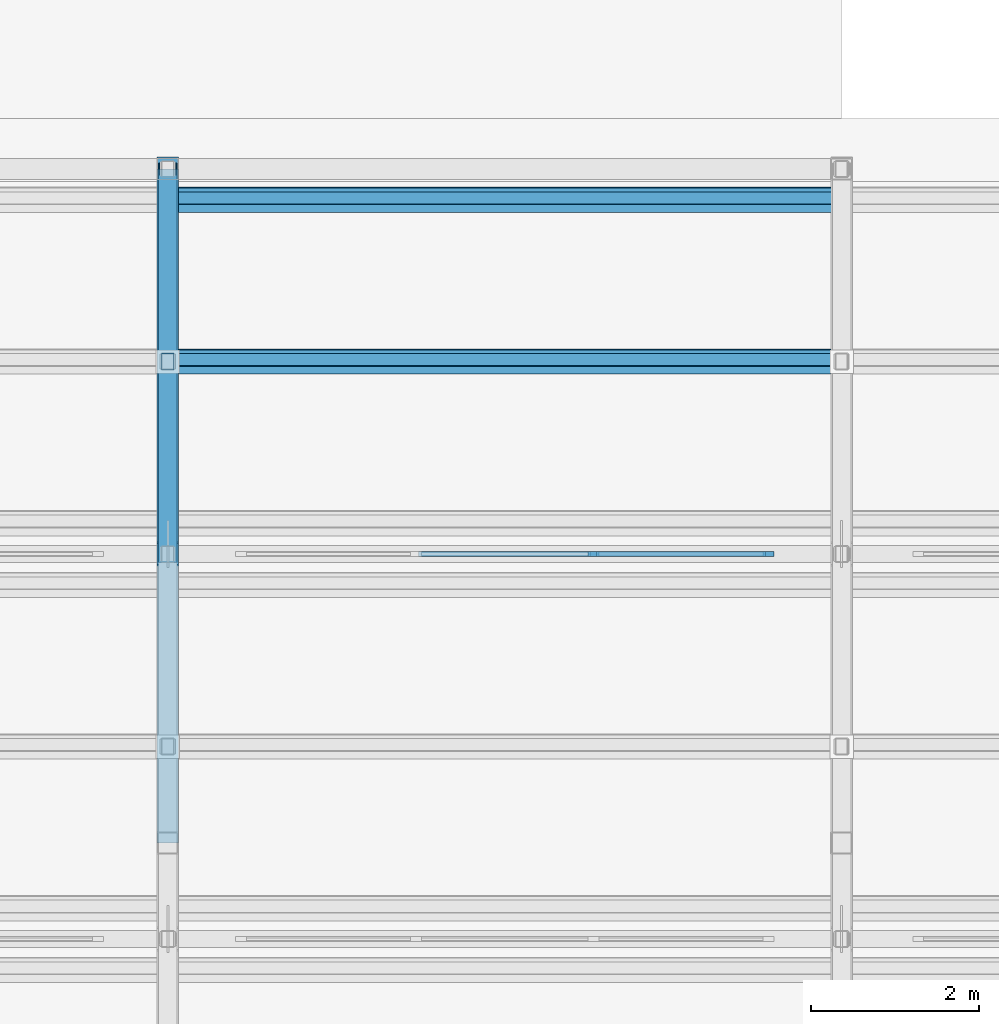
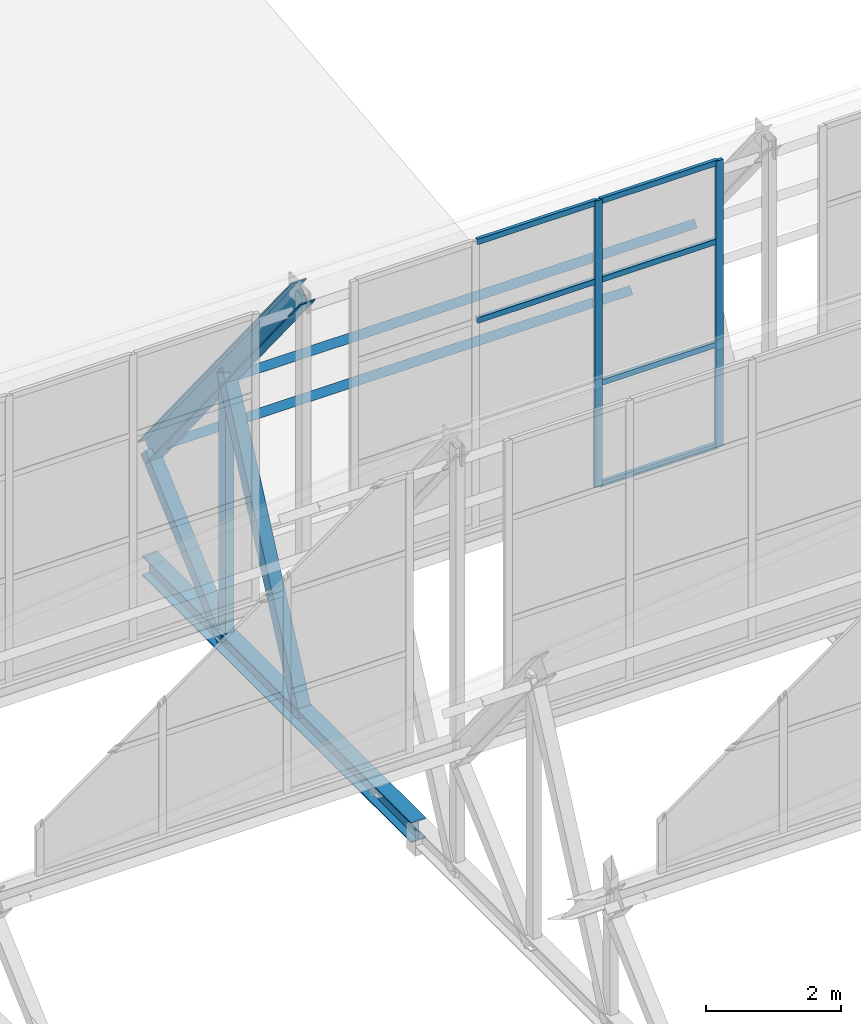
# One storey, part 18 of 34: 14 members, 1 beam, 1 element without a shape of its own.
"""IFC4 building model written with IfcOpenShell, lengths in metres."""

import ifcopenshell
import ifcopenshell.guid

model = None  # the IFC model being written
_history = None  # IfcOwnerHistory: only IFC2X3 demands one
_inside = {}  # id of a spatial element -> (the spatial element, [elements in it])
_under = {}  # id of a project, library or spatial element -> (it, [spatial elements below it])
_declared = {}  # id of a project -> (the project, [libraries it declares])
_typed = {}  # id of a type object -> (the type object, [elements of that type])
_made_of = {}  # id of a material, layer set ... -> (it, [elements and type objects made of it])


def new_model(schema):
    """Start an empty IFC model of exactly this schema.

    Asked for "IFC4X3", IfcOpenShell would pick the latest addendum, in which some entities
    have other attributes; the version numbers below select the first issue.
    IFC2X3 requires an IfcOwnerHistory on every rooted entity: one is made here for all.
    """
    global model, _history
    if schema == "IFC4X3":
        model = ifcopenshell.file(schema_version=(4, 3, 0, 0))
    else:
        model = ifcopenshell.file(schema=schema)
    _inside.clear()
    _under.clear()
    _declared.clear()
    _typed.clear()
    _made_of.clear()
    _history = None
    if model.schema == "IFC2X3":
        org = make("IfcOrganization", Name="unknown")
        user = make(
            "IfcPersonAndOrganization",
            ThePerson=make("IfcPerson", FamilyName="unknown"),
            TheOrganization=org,
        )
        app = make(
            "IfcApplication",
            ApplicationDeveloper=org,
            Version="unknown",
            ApplicationFullName="unknown",
            ApplicationIdentifier="unknown",
        )
        _history = make(
            "IfcOwnerHistory",
            OwningUser=user,
            OwningApplication=app,
            ChangeAction="ADDED",
            CreationDate=0,
        )
    return model


def make(cls, **values):
    """One entity of the class cls with the attributes given. An attribute that is None is left unset."""
    return model.create_entity(
        cls, **{name: value for name, value in values.items() if value is not None}
    )


def rooted(cls, **values):
    """An entity with a GlobalId (a new one), such as an element, a storey or a relation."""
    return make(cls, GlobalId=ifcopenshell.guid.new(), OwnerHistory=_history, **values)


def si_unit(unit_type, name, prefix=None):
    """IfcSIUnit, for example si_unit("LENGTHUNIT", "METRE", prefix="MILLI")."""
    return make("IfcSIUnit", UnitType=unit_type, Prefix=prefix, Name=name)


def assignment(units):
    """IfcUnitAssignment: the units of a project."""
    return None if units is None else make("IfcUnitAssignment", Units=units)


def point(xyz):
    """IfcCartesianPoint."""
    return None if xyz is None else make("IfcCartesianPoint", Coordinates=xyz)


def direction(xyz):
    """IfcDirection."""
    return None if xyz is None else make("IfcDirection", DirectionRatios=xyz)


def frame(location, z_axis=None, x_axis=None):
    """IfcAxis2Placement3D, a coordinate frame: its origin and axes. An axis left out is left unset."""
    return make(
        "IfcAxis2Placement3D",
        Location=point(location),
        Axis=direction(z_axis),
        RefDirection=direction(x_axis),
    )


def frame_2d(location, x_axis=None):
    """IfcAxis2Placement2D, a coordinate frame in the plane: its origin and x axis."""
    return make(
        "IfcAxis2Placement2D", Location=point(location), RefDirection=direction(x_axis)
    )


def origin():
    """The frame at (0, 0, 0) with its axes left unset."""
    return frame((0.0, 0.0, 0.0))


def origin_2d():
    """The frame at (0, 0) in the plane with its x axis left unset."""
    return frame_2d((0.0, 0.0))


def place(relative_to, where):
    """IfcLocalPlacement: puts the frame where relative to a parent placement (None: the world)."""
    return make(
        "IfcLocalPlacement", PlacementRelTo=relative_to, RelativePlacement=where
    )


def context(
    kind, dimensions, precision=None, world=None, true_north=None, identifier=None
):
    """IfcGeometricRepresentationContext, for example the 3D "Model" context."""
    return make(
        "IfcGeometricRepresentationContext",
        ContextIdentifier=identifier,
        ContextType=kind,
        CoordinateSpaceDimension=dimensions,
        Precision=precision,
        WorldCoordinateSystem=world,
        TrueNorth=true_north,
    )


def subcontext(parent, identifier, kind, view, scale=None):
    """IfcGeometricRepresentationSubContext, for example "Body" below "Model"."""
    return make(
        "IfcGeometricRepresentationSubContext",
        ContextIdentifier=identifier,
        ContextType=kind,
        ParentContext=parent,
        TargetScale=scale,
        TargetView=view,
    )


def project(units=None, contexts=None):
    """IfcProject with its units and contexts."""
    return rooted(
        "IfcProject",
        Name="project",
        RepresentationContexts=contexts,
        UnitsInContext=assignment(units),
    )


def spatial(cls, under=None, at=None, **own):
    """A site, building, storey or space (cls), placed at a placement, below another one or the project."""
    s = rooted(cls, ObjectPlacement=at, **own)
    if under is not None:
        _under.setdefault(under.id(), (under, []))[1].append(s)
    return s


def profile(cls, at=None, kind="AREA", **sizes):
    """A parametric profile (cls). Its sizes go by their IFC names, for example OverallWidth=200.0."""
    return make(cls, ProfileType=kind, Position=at, **sizes)


def rectangle(**sizes):
    """IfcRectangleProfileDef."""
    return profile("IfcRectangleProfileDef", **sizes)


def hollow_rectangle(**sizes):
    """IfcRectangleHollowProfileDef."""
    return profile("IfcRectangleHollowProfileDef", **sizes)


def i_section(**sizes):
    """IfcIShapeProfileDef."""
    return profile("IfcIShapeProfileDef", **sizes)


def extrude(swept, where, along, depth):
    """IfcExtrudedAreaSolid: the profile swept, set in the frame where, extruded along a direction by depth."""
    return make(
        "IfcExtrudedAreaSolid",
        SweptArea=swept,
        Position=where,
        ExtrudedDirection=direction(along),
        Depth=depth,
    )


def shape(context_of_items, identifier, shape_type, items):
    """IfcShapeRepresentation: the items that make up one representation, for example the "Body"."""
    return make(
        "IfcShapeRepresentation",
        ContextOfItems=context_of_items,
        RepresentationIdentifier=identifier,
        RepresentationType=shape_type,
        Items=items,
    )


def material(Name=None, Category=None):
    """IfcMaterial."""
    return make("IfcMaterial", Name=Name, Category=Category)


def layer(
    of_material, thickness, ventilated=None, Name=None, Category=None, Priority=None
):
    """IfcMaterialLayer: one layer of a wall or slab, of a material (None: an air gap)."""
    return make(
        "IfcMaterialLayer",
        Material=of_material,
        LayerThickness=thickness,
        IsVentilated=ventilated,
        Name=Name,
        Category=Category,
        Priority=Priority,
    )


def layer_set(layers, Name=None):
    """IfcMaterialLayerSet."""
    return make("IfcMaterialLayerSet", MaterialLayers=layers, LayerSetName=Name)


def material_profile(
    of_material, cross_section, Name=None, Category=None, Priority=None
):
    """IfcMaterialProfile: a cross section and its material."""
    return make(
        "IfcMaterialProfile",
        Name=Name,
        Material=of_material,
        Profile=cross_section,
        Priority=Priority,
        Category=Category,
    )


def profile_set(profiles, Name=None, composite=None):
    """IfcMaterialProfileSet."""
    return make(
        "IfcMaterialProfileSet",
        Name=Name,
        MaterialProfiles=profiles,
        CompositeProfile=composite,
    )


def made_of(thing, what):
    """Note that an element or type object is made of a material, layer set ...; save() writes the relation."""
    if what is not None:
        _made_of.setdefault(what.id(), (what, []))[1].append(thing)
    return thing


def type_object(cls, material=None, **own):
    """A type object (cls), such as IfcWallType, which elements share."""
    return made_of(rooted(cls, **own), material)


def element(
    cls,
    number,
    at=None,
    inside=None,
    cuts=None,
    type_object=None,
    material=None,
    context=None,
    identifier="Body",
    shape_type=None,
    held_by="IfcProductDefinitionShape",
    body=None,
    shapes=None,
    **own,
):
    """One element of the class cls, such as IfcWall. Its Tag is "e" and its number.

    at: its placement. inside: the storey or other place that contains it. cuts: it is an
    opening in that element (IfcRelVoidsElement). A single representation is given by context,
    identifier, shape_type and body (its items); several are given by shapes. held_by: the class
    of the entity that holds the representations. save() writes the other relations.
    """
    e = rooted(cls, Tag="e%d" % number, ObjectPlacement=at, **own)
    if body is not None:
        shapes = [shape(context, identifier, shape_type, body)]
    if shapes is not None:
        e.Representation = make(held_by, Representations=shapes)
    if inside is not None:
        _inside.setdefault(inside.id(), (inside, []))[1].append(e)
    if cuts is not None:
        rooted(
            "IfcRelVoidsElement", RelatingBuildingElement=cuts, RelatedOpeningElement=e
        )
    if type_object is not None:
        _typed.setdefault(type_object.id(), (type_object, []))[1].append(e)
    return made_of(e, material)


def aggregate(whole, parts):
    """IfcRelAggregates: a whole, such as a stair, and the parts it consists of."""
    return rooted("IfcRelAggregates", RelatingObject=whole, RelatedObjects=parts)


def save(model, path):
    """Write the relations noted so far, then the file.

    IfcRelAggregates (storeys below a building ...), IfcRelContainedInSpatialStructure (elements
    in a storey), IfcRelDefinesByType, IfcRelAssociatesMaterial and IfcRelDeclares: one each for
    every whole, place, type object, material and project.
    """
    for whole, parts in _under.values():
        aggregate(whole, parts)
    for where, things in _inside.values():
        rooted(
            "IfcRelContainedInSpatialStructure",
            RelatedElements=things,
            RelatingStructure=where,
        )
    for kind, things in _typed.values():
        rooted("IfcRelDefinesByType", RelatedObjects=things, RelatingType=kind)
    for what, things in _made_of.values():
        rooted("IfcRelAssociatesMaterial", RelatedObjects=things, RelatingMaterial=what)
    for by, libraries in _declared.values():
        rooted("IfcRelDeclares", RelatingContext=by, RelatedDefinitions=libraries)
    model.write(path)


model = new_model("IFC4")

# Units and contexts
model_context = context("Model", 3, precision=1e-05, world=origin(), true_north=direction((0.0, 1.0)))
body_context = subcontext(model_context, "Body", "Model", "MODEL_VIEW")
ifc_project = project(units=[si_unit("LENGTHUNIT", "METRE"), si_unit("AREAUNIT", "SQUARE_METRE"), si_unit("VOLUMEUNIT", "CUBIC_METRE"), si_unit("PLANEANGLEUNIT", "RADIAN"), si_unit("MASSUNIT", "GRAM", prefix="KILO")], contexts=[model_context])

# Site, building, storey
site_placement = place(None, origin())
site = spatial("IfcSite", under=ifc_project, at=site_placement, CompositionType="ELEMENT")
building_placement = place(site_placement, origin())
building = spatial("IfcBuilding", under=site, at=building_placement, Name="Qorikala Patio Media Centre", CompositionType="ELEMENT")
storey_placement = place(building_placement, frame((0.0, 0.0, 32.699951171875)))
storey = spatial("IfcBuildingStorey", under=building, at=storey_placement, Name="RF", CompositionType="ELEMENT", Elevation=32.699951171875)

# Members
ifc_material_1 = material(Name="Steel S355", Category="steel")
ifc_material_profile_1 = material_profile(ifc_material_1, hollow_rectangle(XDim=0.219970703125, YDim=0.219970703125, WallThickness=0.010009765625, at=origin_2d()), Name="HSS220X220X10")
ifc_profile_set_1 = profile_set([ifc_material_profile_1], Name="Steel S355")
member_type_1 = type_object("IfcMemberType", Name="BRACE-HSS220", PredefinedType="BRACE", material=ifc_profile_set_1)
member_1_placement = place(storey_placement, frame((27.0, 30.4287109375, 0.35009765625), z_axis=(0.0, 0.424508225487, 0.905424081022), x_axis=(-1.0, 0.0, 0.0)))
element("IfcMember", 1, at=member_1_placement, inside=storey, type_object=member_type_1, Name="SAW-V1 Truss 4 Bay 7 Web Diagonal 1", PredefinedType="BRACE", context=body_context, shape_type="SweptSolid", body=[
    extrude(hollow_rectangle(XDim=0.219970703125, YDim=0.219970703125, WallThickness=0.010009765625, at=origin_2d()), origin(), (0.0, 0.0, 1.0), 5.38427734375),
])
member_2_placement = place(storey_placement, frame((27.0, 32.71435546875, 0.35009765625), z_axis=(0.0, 0.744431778243, 0.667698530432), x_axis=(-1.0, 0.0, 0.0)))
element("IfcMember", 2, at=member_2_placement, inside=storey, type_object=member_type_1, Name="SAW-V1 Truss 4 Bay 7 Web Diagonal 2", PredefinedType="BRACE", context=body_context, shape_type="SweptSolid", body=[
    extrude(hollow_rectangle(XDim=0.219970703125, YDim=0.219970703125, WallThickness=0.010009765625, at=origin_2d()), origin(), (0.0, 0.0, 1.0), 3.0703125),
])
ifc_material_profile_2 = material_profile(ifc_material_1, i_section(OverallWidth=0.257080078125, OverallDepth=0.363037109375, WebThickness=0.012939453125, FlangeThickness=0.021728515625, at=origin_2d()), Name="W360X122")
ifc_profile_set_2 = profile_set([ifc_material_profile_2], Name="Steel S355")
member_type_2 = type_object("IfcMemberType", Name="CHORD-W360X122", PredefinedType="CHORD", material=ifc_profile_set_2)
member_3_placement = place(storey_placement, frame((27.0, 30.4287109375, 8.050048828125), z_axis=(0.0, 0.628995268707, -0.777409127773), x_axis=(-1.0, 0.0, 0.0)))
element("IfcMember", 3, at=member_3_placement, inside=storey, type_object=member_type_2, Name="SAW-V1 Truss 4 Bay 7 Sloped Top Chord", PredefinedType="CHORD", context=body_context, shape_type="SweptSolid", body=[
    extrude(i_section(OverallWidth=0.257080078125, OverallDepth=0.363037109375, WebThickness=0.012939453125, FlangeThickness=0.021728515625, at=origin_2d()), origin(), (0.0, 0.0, 1.0), 7.267578125),
])

# Curtain wall, members
ifc_material_2 = material(Name="Bronze Anodised Aluminium and Low-E Glass", Category="aluminium")
ifc_layer = layer(ifc_material_2, 0.159912109375)
ifc_layer_set = layer_set([ifc_layer], Name="Bronze Anodised Aluminium and Low-E Glass")
curtain_wall_type = type_object("IfcCurtainWallType", Name="CW-SAW-632X520", PredefinedType="USERDEFINED", material=ifc_layer_set)
curtain_wall_placement = place(storey_placement, origin())
curtain_wall = element("IfcCurtainWall", 4, at=curtain_wall_placement, inside=storey, type_object=curtain_wall_type, Name="RF Sawtooth Glazing 140", ObjectType="SAWTOOTH GLAZING", PredefinedType="USERDEFINED")
ifc_material_3 = material(Name="Bronze Anodised Aluminium", Category="aluminium")
ifc_material_profile_3 = material_profile(ifc_material_3, rectangle(XDim=0.06005859375, YDim=0.1298828125, at=origin_2d()), Name="ALU MULLION 60x130")
ifc_profile_set_3 = profile_set([ifc_material_profile_3], Name="Bronze Anodised Aluminium")
member_type_3 = type_object("IfcMemberType", Name="CWM-60X130", PredefinedType="MULLION", material=ifc_profile_set_3)
member_4_placement = place(storey_placement, frame((32.05322265625, 30.4287109375, 2.75), z_axis=(0.0, 0.0, 1.0), x_axis=(0.0, 1.0, 0.0)))
member_4 = element("IfcMember", 5, at=member_4_placement, type_object=member_type_3, Name="CWS632520 mullion 3", PredefinedType="MULLION", context=body_context, shape_type="SweptSolid", body=[
    extrude(rectangle(XDim=0.06005859375, YDim=0.1298828125, at=origin_2d()), origin(), (0.0, 0.0, 1.0), 5.199951171875),
])
member_5_placement = place(storey_placement, frame((34.1298828125, 30.4287109375, 2.75), z_axis=(0.0, 0.0, 1.0), x_axis=(0.0, 1.0, 0.0)))
member_5 = element("IfcMember", 6, at=member_5_placement, type_object=member_type_3, Name="CWS632520 mullion 4", PredefinedType="MULLION", context=body_context, shape_type="SweptSolid", body=[
    extrude(rectangle(XDim=0.06005859375, YDim=0.1298828125, at=origin_2d()), origin(), (0.0, 0.0, 1.0), 5.199951171875),
])
ifc_material_profile_4 = material_profile(ifc_material_3, rectangle(XDim=0.06005859375, YDim=0.10009765625, at=origin_2d()), Name="ALU TRANSOM 60x100")
ifc_profile_set_4 = profile_set([ifc_material_profile_4], Name="Bronze Anodised Aluminium")
member_type_4 = type_object("IfcMemberType", Name="CWT-60X100", PredefinedType="USERDEFINED", material=ifc_profile_set_4)
member_6_placement = place(storey_placement, frame((29.9765625, 30.4287109375, 6.494140625), z_axis=(1.0, 0.0, 0.0), x_axis=(0.0, 1.0, 0.0)))
member_6 = element("IfcMember", 7, at=member_6_placement, type_object=member_type_4, Name="CWS632520 transom 2.3", ObjectType="TRANSOM", PredefinedType="USERDEFINED", context=body_context, shape_type="SweptSolid", body=[
    extrude(rectangle(XDim=0.06005859375, YDim=0.10009765625, at=origin_2d()), origin(), (0.0, 0.0, 1.0), 2.046875),
])
member_7_placement = place(storey_placement, frame((29.9765625, 30.4287109375, 7.920166015625), z_axis=(1.0, 0.0, 0.0), x_axis=(0.0, 1.0, 0.0)))
member_7 = element("IfcMember", 8, at=member_7_placement, type_object=member_type_4, Name="CWS632520 transom 2.4", ObjectType="TRANSOM", PredefinedType="USERDEFINED", context=body_context, shape_type="SweptSolid", body=[
    extrude(rectangle(XDim=0.06005859375, YDim=0.10009765625, at=origin_2d()), origin(), (0.0, 0.0, 1.0), 2.046875),
])
member_8_placement = place(storey_placement, frame((32.083251953125, 30.4287109375, 2.780029296875), z_axis=(1.0, 0.0, 0.0), x_axis=(0.0, 1.0, 0.0)))
member_8 = element("IfcMember", 9, at=member_8_placement, type_object=member_type_4, Name="CWS632520 transom 3.1", ObjectType="TRANSOM", PredefinedType="USERDEFINED", context=body_context, shape_type="SweptSolid", body=[
    extrude(rectangle(XDim=0.06005859375, YDim=0.10009765625, at=origin_2d()), origin(), (0.0, 0.0, 1.0), 2.016845703125),
])
member_9_placement = place(storey_placement, frame((32.083251953125, 30.4287109375, 4.6220703125), z_axis=(1.0, 0.0, 0.0), x_axis=(0.0, 1.0, 0.0)))
member_9 = element("IfcMember", 10, at=member_9_placement, type_object=member_type_4, Name="CWS632520 transom 3.2", ObjectType="TRANSOM", PredefinedType="USERDEFINED", context=body_context, shape_type="SweptSolid", body=[
    extrude(rectangle(XDim=0.06005859375, YDim=0.10009765625, at=origin_2d()), origin(), (0.0, 0.0, 1.0), 2.016845703125),
])
member_10_placement = place(storey_placement, frame((32.083251953125, 30.4287109375, 6.494140625), z_axis=(1.0, 0.0, 0.0), x_axis=(0.0, 1.0, 0.0)))
member_10 = element("IfcMember", 11, at=member_10_placement, type_object=member_type_4, Name="CWS632520 transom 3.3", ObjectType="TRANSOM", PredefinedType="USERDEFINED", context=body_context, shape_type="SweptSolid", body=[
    extrude(rectangle(XDim=0.06005859375, YDim=0.10009765625, at=origin_2d()), origin(), (0.0, 0.0, 1.0), 2.016845703125),
])
member_11_placement = place(storey_placement, frame((32.083251953125, 30.4287109375, 7.920166015625), z_axis=(1.0, 0.0, 0.0), x_axis=(0.0, 1.0, 0.0)))
member_11 = element("IfcMember", 12, at=member_11_placement, type_object=member_type_4, Name="CWS632520 transom 3.4", ObjectType="TRANSOM", PredefinedType="USERDEFINED", context=body_context, shape_type="SweptSolid", body=[
    extrude(rectangle(XDim=0.06005859375, YDim=0.10009765625, at=origin_2d()), origin(), (0.0, 0.0, 1.0), 2.016845703125),
])
aggregate(curtain_wall, [member_4, member_5, member_6, member_7, member_8, member_9, member_10, member_11])

# Members
ifc_material_profile_5 = material_profile(ifc_material_1, i_section(OverallWidth=0.14794921875, OverallDepth=0.26611328125, WebThickness=0.007568359375, FlangeThickness=0.012939453125, at=origin_2d()), Name="W250X45")
ifc_profile_set_5 = profile_set([ifc_material_profile_5], Name="Steel S355")
member_type_5 = type_object("IfcMemberType", Name="PURLIN-W250X45", PredefinedType="PURLIN", material=ifc_profile_set_5)
for number, where, z_axis, x_axis, name in (
    (13, (27.0, 32.71435546875, 5.077392578125), (1.0, 0.0, 0.0), (0.0, 0.62899480571, 0.777409502379), "SAW-V1 Bay 7 Roof Purlin"),
    (14, (27.0, 34.63427734375, 2.704345703125), (1.0, 0.0, 0.0), (0.0, 0.62899480571, 0.777409502379), "SAW-V1 Bay 7 Roof Purlin"),
):
    element("IfcMember", number, at=place(storey_placement, frame(where, z_axis=z_axis, x_axis=x_axis)), inside=storey, type_object=member_type_5, Name=name, PredefinedType="PURLIN", context=body_context, shape_type="SweptSolid", body=[
        extrude(i_section(OverallWidth=0.14794921875, OverallDepth=0.26611328125, WebThickness=0.007568359375, FlangeThickness=0.012939453125, at=origin_2d()), origin(), (0.0, 0.0, 1.0), 8.0),
    ])

# Beam
ifc_material_profile_6 = material_profile(ifc_material_1, i_section(OverallWidth=0.257080078125, OverallDepth=0.363037109375, WebThickness=0.012939453125, FlangeThickness=0.021728515625, at=origin_2d()), Name="W360X122")
ifc_profile_set_6 = profile_set([ifc_material_profile_6], Name="Steel S355")
beam_type = type_object("IfcBeamType", Name="SBM-W360X122", PredefinedType="BEAM", material=ifc_profile_set_6)
beam_placement = place(storey_placement, frame((27.0, 27.0, 0.35009765625), z_axis=(0.0, 1.0, 0.0), x_axis=(-1.0, 0.0, 0.0)))
element("IfcBeam", 15, at=beam_placement, inside=storey, type_object=beam_type, Name="SAW-V1 Longitudinal Truss Tie Girder X=27", PredefinedType="BEAM", context=body_context, shape_type="SweptSolid", body=[
    extrude(i_section(OverallWidth=0.257080078125, OverallDepth=0.363037109375, WebThickness=0.012939453125, FlangeThickness=0.021728515625, at=origin_2d()), origin(), (0.0, 0.0, 1.0), 8.0),
])

# Member
ifc_material_profile_7 = material_profile(ifc_material_1, hollow_rectangle(XDim=0.14990234375, YDim=0.199951171875, WallThickness=0.008056640625, at=origin_2d()), Name="HSS200X150X8")
ifc_profile_set_7 = profile_set([ifc_material_profile_7], Name="Steel S355")
member_type_6 = type_object("IfcMemberType", Name="STRUT-HSS200", PredefinedType="STRUT", material=ifc_profile_set_7)
member_12_placement = place(storey_placement, frame((27.0, 32.71435546875, 0.35009765625), z_axis=(0.0, 0.0, 1.0), x_axis=(1.0, 0.0, 0.0)))
element("IfcMember", 16, at=member_12_placement, inside=storey, type_object=member_type_6, Name="SAW-V1 Truss 4 Bay 7 Mid Strut", PredefinedType="STRUT", context=body_context, shape_type="SweptSolid", body=[
    extrude(hollow_rectangle(XDim=0.14990234375, YDim=0.199951171875, WallThickness=0.008056640625, at=origin_2d()), origin(), (0.0, 0.0, 1.0), 4.875),
])

save(model, "model.ifc")
